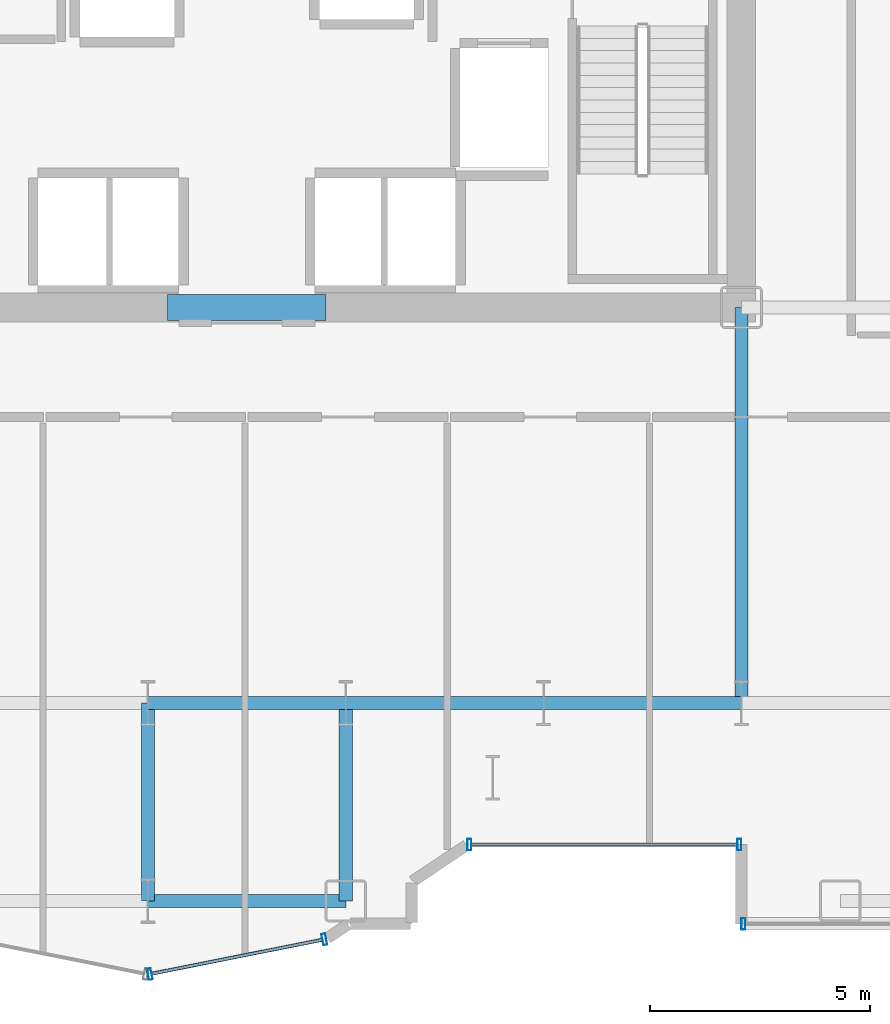
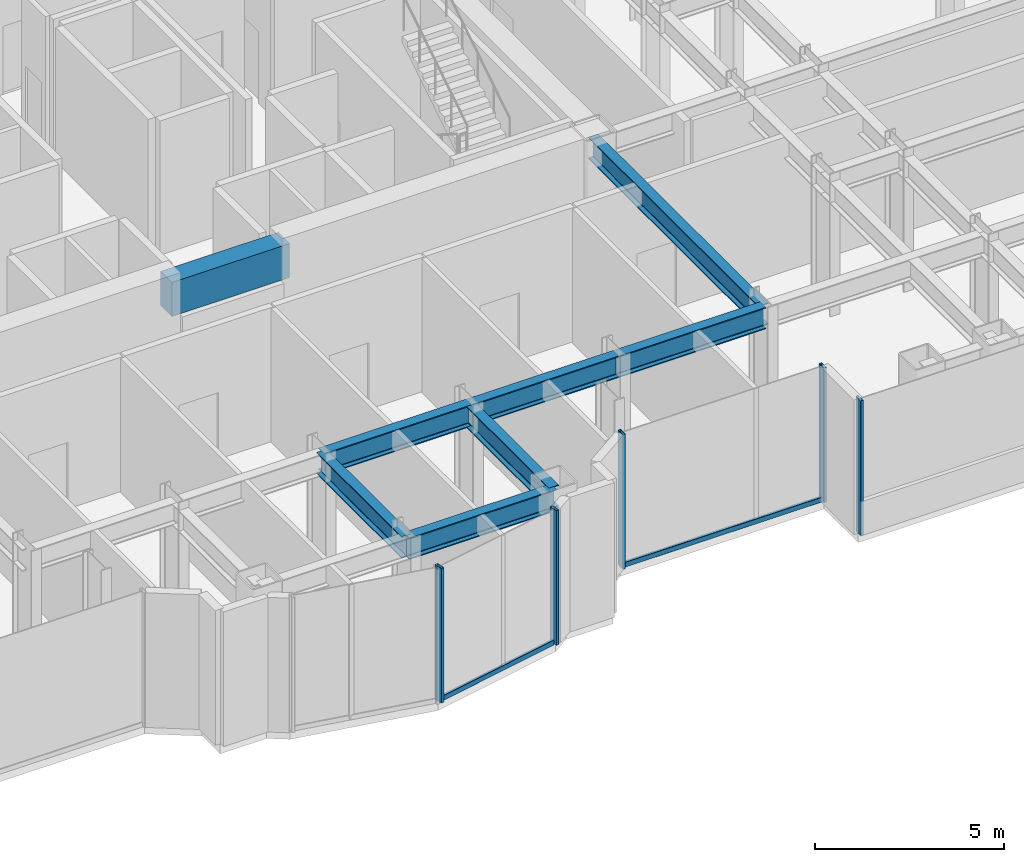
# One storey, part 8 of 30: 8 beams, 7 members, 3 elements without a shape of their own.
"""IFC4 building model written with IfcOpenShell, lengths in metres."""

from ifc_helpers import new_model, si_unit, direction, frame, origin, origin_2d, place, context, subcontext, project, spatial, rectangle, hollow_rectangle, i_section, extrude, source, transform, mapped, material, layer, layer_set, material_profile, profile_set, type_object, element, aggregate, save


model = new_model("IFC4")

# Units and contexts
model_context = context("Model", 3, precision=1e-05, world=origin(), true_north=direction((0.0, 1.0)))
body_context = subcontext(model_context, "Body", "Model", "MODEL_VIEW")
ifc_project = project(units=[si_unit("LENGTHUNIT", "METRE"), si_unit("AREAUNIT", "SQUARE_METRE"), si_unit("VOLUMEUNIT", "CUBIC_METRE"), si_unit("PLANEANGLEUNIT", "RADIAN"), si_unit("MASSUNIT", "GRAM", prefix="KILO")], contexts=[model_context])

# Site, building, storey
site_placement = place(None, origin())
site = spatial("IfcSite", under=ifc_project, at=site_placement, CompositionType="ELEMENT")
building_placement = place(site_placement, origin())
building = spatial("IfcBuilding", under=site, at=building_placement, Name="Nefas-Gora Pilgrimage Tower", CompositionType="ELEMENT")
storey_placement = place(building_placement, frame((0.0, 0.0, 86.199951171875)))
storey = spatial("IfcBuildingStorey", under=building, at=storey_placement, Name="L20", CompositionType="ELEMENT", Elevation=86.199951171875)

# Beams
ifc_material_1 = material(Name="Concrete C60/75", Category="concrete")
ifc_material_profile_1 = material_profile(ifc_material_1, rectangle(XDim=0.60009765625, YDim=1.10009765625, at=origin_2d()), Name="RC 600x1100")
ifc_profile_set_1 = profile_set([ifc_material_profile_1], Name="Concrete C60/75")
beam_type_1 = type_object("IfcBeamType", Name="BM-LIN-RC1100", PredefinedType="LINTEL", material=ifc_profile_set_1)
shared_shape_1 = source(origin(), body_context, "Body", "SweptSolid", [
    extrude(rectangle(XDim=0.60009765625, YDim=1.10009765625, at=origin_2d()), origin(), (0.0, 0.0, 1.0), 3.60009765625),
])
beam_1_placement = place(storey_placement, frame((-1.800048828125, -9.0, 3.800048828125), z_axis=(1.0, 0.0, 0.0), x_axis=(0.0, 1.0, 0.0)))
element("IfcBeam", 1, at=beam_1_placement, inside=storey, type_object=beam_type_1, Name="L20 Core Coupling Lintel Beam S", PredefinedType="LINTEL", context=body_context, shape_type="MappedRepresentation", body=[
    mapped(shared_shape_1, transform((0.0, 0.0, 0.0), x_axis=(1.0, 0.0, 0.0), y_axis=(0.0, 1.0, 0.0), z_axis=(0.0, 0.0, 1.0), scale=1.0)),
])
ifc_material_2 = material(Name="Steel S355", Category="steel")
ifc_material_profile_2 = material_profile(ifc_material_2, i_section(OverallWidth=0.300048828125, OverallDepth=0.699951171875, WebThickness=0.01708984375, FlangeThickness=0.031982421875, FilletRadius=0.027099609375, at=origin_2d()), Name="HEB 700")
ifc_profile_set_2 = profile_set([ifc_material_profile_2], Name="Steel S355")
beam_type_2 = type_object("IfcBeamType", Name="BM-GIR-HEB700", PredefinedType="BEAM", material=ifc_profile_set_2)
shared_shape_2 = source(origin(), body_context, "Body", "SweptSolid", [
    extrude(i_section(OverallWidth=0.300048828125, OverallDepth=0.699951171875, WebThickness=0.01708984375, FlangeThickness=0.031982421875, FilletRadius=0.027099609375, at=origin_2d()), origin(), (0.0, 0.0, 1.0), 9.0),
])
beam_2_placement = place(storey_placement, frame((11.25, -18.0, 4.0), z_axis=(0.0, 1.0, 0.0), x_axis=(-1.0, 0.0, 0.0)))
element("IfcBeam", 2, at=beam_2_placement, inside=storey, type_object=beam_type_2, Name="L20 G-02 beam", PredefinedType="BEAM", context=body_context, shape_type="MappedRepresentation", body=[
    mapped(shared_shape_2, transform((0.0, 0.0, 0.0), x_axis=(1.0, 0.0, 0.0), y_axis=(0.0, 1.0, 0.0), z_axis=(0.0, 0.0, 1.0), scale=1.0)),
])
shared_shape_3 = source(origin(), body_context, "Body", "SweptSolid", [
    extrude(i_section(OverallWidth=0.300048828125, OverallDepth=0.699951171875, WebThickness=0.01708984375, FlangeThickness=0.031982421875, FilletRadius=0.027099609375, at=origin_2d()), origin(), (0.0, 0.0, 1.0), 4.5),
])
for number, where, z_axis, x_axis, name in (
    (3, (-2.25, -22.5, 4.0), (0.0, 1.0, 0.0), (-1.0, 0.0, 0.0), "L20 G-02 beam"),
    (4, (-2.25, -22.5, 4.0), (1.0, 0.0, 0.0), (0.0, 1.0, 0.0), "L20 G-02 beam"),
    (5, (-2.25, -18.0, 4.0), (1.0, 0.0, 0.0), (0.0, 1.0, 0.0), "L20 G-02 beam"),
    (6, (2.25, -22.5, 4.0), (0.0, 1.0, 0.0), (-1.0, 0.0, 0.0), "L20 G-02 beam"),
    (7, (2.25, -18.0, 4.0), (1.0, 0.0, 0.0), (0.0, 1.0, 0.0), "L20 G-02 beam"),
    (8, (6.75, -18.0, 4.0), (1.0, 0.0, 0.0), (0.0, 1.0, 0.0), "L20 G-02 beam"),
):
    element("IfcBeam", number, at=place(storey_placement, frame(where, z_axis=z_axis, x_axis=x_axis)), inside=storey, type_object=beam_type_2, Name=name, PredefinedType="BEAM", context=body_context, shape_type="MappedRepresentation", body=[
        mapped(shared_shape_3, transform((0.0, 0.0, 0.0), x_axis=(1.0, 0.0, 0.0), y_axis=(0.0, 1.0, 0.0), z_axis=(0.0, 0.0, 1.0), scale=1.0)),
    ])

# Curtain wall, member
ifc_material_3 = material(Name="Dark ceramic-fritted solar-control aluminium-glass curtain wall", Category="aluminium")
ifc_layer_1 = layer(ifc_material_3, 0.219970703125)
ifc_layer_set_1 = layer_set([ifc_layer_1], Name="Dark ceramic-fritted solar-control aluminium-glass curtain wall")
curtain_wall_type_1 = type_object("IfcCurtainWallType", Name="CW-SYS-5", PredefinedType="NOTDEFINED", material=ifc_layer_set_1)
curtain_wall_1_placement = place(storey_placement, origin())
curtain_wall_1 = element("IfcCurtainWall", 9, at=curtain_wall_1_placement, inside=storey, type_object=curtain_wall_type_1, Name="L20 Unitised Curtain Wall CW5", PredefinedType="NOTDEFINED")
ifc_material_4 = material(Name="Anodised architectural aluminium", Category="aluminium")
ifc_material_profile_3 = material_profile(ifc_material_4, hollow_rectangle(XDim=0.080078125, YDim=0.159912109375, WallThickness=0.00439453125, InnerFilletRadius=0.00439453125, OuterFilletRadius=0.009033203125, at=origin_2d()), Name="ALU TRANSOM 80x160")
ifc_profile_set_3 = profile_set([ifc_material_profile_3], Name="Anodised architectural aluminium")
member_type_1 = type_object("IfcMemberType", Name="CWM-TRN-5", PredefinedType="USERDEFINED", material=ifc_profile_set_3)
shared_shape_4 = source(origin(), body_context, "Body", "SweptSolid", [
    extrude(hollow_rectangle(XDim=0.080078125, YDim=0.159912109375, WallThickness=0.00439453125, InnerFilletRadius=0.00439453125, OuterFilletRadius=0.009033203125, at=origin_2d()), origin(), (0.0, 0.0, 1.0), 6.052001953125),
])
member_1_placement = place(storey_placement, frame((5.10791015625, -21.219970703125, 0.050048828125), z_axis=(1.0, 0.0, 0.0), x_axis=(0.0, 1.0, 0.0)))
member_1 = element("IfcMember", 10, at=member_1_placement, type_object=member_type_1, Name="CW5 Spandrel Transom", ObjectType="TRANSOM", PredefinedType="USERDEFINED", context=body_context, shape_type="MappedRepresentation", body=[
    mapped(shared_shape_4, transform((0.0, 0.0, 0.0), x_axis=(1.0, 0.0, 0.0), y_axis=(0.0, 1.0, 0.0), z_axis=(0.0, 0.0, 1.0), scale=1.0)),
])

curtain_wall_2_placement = place(storey_placement, origin())
curtain_wall_2 = element("IfcCurtainWall", 11, at=curtain_wall_2_placement, inside=storey, type_object=curtain_wall_type_1, Name="L20 Unitised Curtain Wall CW5", PredefinedType="NOTDEFINED")
shared_shape_5 = source(origin(), body_context, "Body", "SweptSolid", [
    extrude(hollow_rectangle(XDim=0.080078125, YDim=0.159912109375, WallThickness=0.00439453125, InnerFilletRadius=0.00439453125, OuterFilletRadius=0.009033203125, at=origin_2d()), origin(), (0.0, 0.0, 1.0), 3.95654296875),
])
member_2_placement = place(storey_placement, frame((-2.16162109375, -24.15478515625, 0.050048828125), z_axis=(0.980781880918, 0.195107411605, 0.0), x_axis=(-0.195107411605, 0.980781880918, 0.0)))
member_2 = element("IfcMember", 12, at=member_2_placement, type_object=member_type_1, Name="CW5 Spandrel Transom", ObjectType="TRANSOM", PredefinedType="USERDEFINED", context=body_context, shape_type="MappedRepresentation", body=[
    mapped(shared_shape_5, transform((0.0, 0.0, 0.0), x_axis=(1.0, 0.0, 0.0), y_axis=(0.0, 1.0, 0.0), z_axis=(0.0, 0.0, 1.0), scale=1.0)),
])

# Member
ifc_material_profile_4 = material_profile(ifc_material_4, hollow_rectangle(XDim=0.090087890625, YDim=0.260009765625, WallThickness=0.006103515625, InnerFilletRadius=0.006103515625, OuterFilletRadius=0.011962890625, at=origin_2d()), Name="ALU MULLION 90x260")
ifc_profile_set_4 = profile_set([ifc_material_profile_4], Name="Anodised architectural aluminium")
member_type_2 = type_object("IfcMemberType", Name="CWM-MUL-5", PredefinedType="MULLION", material=ifc_profile_set_4)
shared_shape_6 = source(origin(), body_context, "Body", "SweptSolid", [
    extrude(hollow_rectangle(XDim=0.090087890625, YDim=0.260009765625, WallThickness=0.006103515625, InnerFilletRadius=0.006103515625, OuterFilletRadius=0.011962890625, at=origin_2d()), origin(), (0.0, 0.0, 1.0), 4.35009765625),
])
member_3_placement = place(storey_placement, frame((5.06298828125, -21.219970703125, 0.0), z_axis=(0.0, 0.0, 1.0), x_axis=(1.0, 0.0, 0.0)))
member_3 = element("IfcMember", 13, at=member_3_placement, type_object=member_type_2, Name="CW5 Mullion 1", PredefinedType="MULLION", context=body_context, shape_type="MappedRepresentation", body=[
    mapped(shared_shape_6, transform((0.0, 0.0, 0.0), x_axis=(1.0, 0.0, 0.0), y_axis=(0.0, 1.0, 0.0), z_axis=(0.0, 0.0, 1.0), scale=1.0)),
])

member_4_placement = place(storey_placement, frame((11.205078125, -21.219970703125, 0.0), z_axis=(0.0, 0.0, 1.0), x_axis=(1.0, 0.0, 0.0)))
member_4 = element("IfcMember", 14, at=member_4_placement, type_object=member_type_2, Name="CW5 Mullion 2", PredefinedType="MULLION", context=body_context, shape_type="MappedRepresentation", body=[
    mapped(shared_shape_6, transform((0.0, 0.0, 0.0), x_axis=(1.0, 0.0, 0.0), y_axis=(0.0, 1.0, 0.0), z_axis=(0.0, 0.0, 1.0), scale=1.0)),
])

aggregate(curtain_wall_1, [member_3, member_4, member_1])

member_5_placement = place(storey_placement, frame((-2.205810546875, -24.16357421875, 0.0), z_axis=(0.0, 0.0, 1.0), x_axis=(0.980782896852, 0.195102304554, 0.0)))
member_5 = element("IfcMember", 15, at=member_5_placement, type_object=member_type_2, Name="CW5 Mullion 1", PredefinedType="MULLION", context=body_context, shape_type="MappedRepresentation", body=[
    mapped(shared_shape_6, transform((0.0, 0.0, 0.0), x_axis=(1.0, 0.0, 0.0), y_axis=(0.0, 1.0, 0.0), z_axis=(0.0, 0.0, 1.0), scale=1.0)),
])

member_6_placement = place(storey_placement, frame((1.76318359375, -23.3740234375, 0.0), z_axis=(0.0, 0.0, 1.0), x_axis=(0.980782896852, 0.195102304554, 0.0)))
member_6 = element("IfcMember", 16, at=member_6_placement, type_object=member_type_2, Name="CW5 Mullion 2", PredefinedType="MULLION", context=body_context, shape_type="MappedRepresentation", body=[
    mapped(shared_shape_6, transform((0.0, 0.0, 0.0), x_axis=(1.0, 0.0, 0.0), y_axis=(0.0, 1.0, 0.0), z_axis=(0.0, 0.0, 1.0), scale=1.0)),
])

aggregate(curtain_wall_2, [member_5, member_6, member_2])

# Curtain wall, member
ifc_layer_2 = layer(ifc_material_3, 0.219970703125)
ifc_layer_set_2 = layer_set([ifc_layer_2], Name="Dark ceramic-fritted solar-control aluminium-glass curtain wall")
curtain_wall_type_2 = type_object("IfcCurtainWallType", Name="CW-SYS-2", PredefinedType="NOTDEFINED", material=ifc_layer_set_2)
curtain_wall_3_placement = place(storey_placement, origin())
curtain_wall_3 = element("IfcCurtainWall", 17, at=curtain_wall_3_placement, inside=storey, type_object=curtain_wall_type_2, Name="L20 Unitised Curtain Wall CW2", PredefinedType="NOTDEFINED")
ifc_material_profile_5 = material_profile(ifc_material_4, hollow_rectangle(XDim=0.090087890625, YDim=0.260009765625, WallThickness=0.006103515625, InnerFilletRadius=0.006103515625, OuterFilletRadius=0.011962890625, at=origin_2d()), Name="ALU MULLION 90x260")
ifc_profile_set_5 = profile_set([ifc_material_profile_5], Name="Anodised architectural aluminium")
member_type_3 = type_object("IfcMemberType", Name="CWM-MUL-2", PredefinedType="MULLION", material=ifc_profile_set_5)
shared_shape_7 = source(origin(), body_context, "Body", "SweptSolid", [
    extrude(hollow_rectangle(XDim=0.090087890625, YDim=0.260009765625, WallThickness=0.006103515625, InnerFilletRadius=0.006103515625, OuterFilletRadius=0.011962890625, at=origin_2d()), origin(), (0.0, 0.0, 1.0), 4.35009765625),
])
member_7_placement = place(storey_placement, frame((11.294921875, -23.02001953125, 0.0), z_axis=(0.0, 0.0, 1.0), x_axis=(1.0, 0.0, 0.0)))
member_7 = element("IfcMember", 18, at=member_7_placement, type_object=member_type_3, Name="CW2 Mullion 1", PredefinedType="MULLION", context=body_context, shape_type="MappedRepresentation", body=[
    mapped(shared_shape_7, transform((0.0, 0.0, 0.0), x_axis=(1.0, 0.0, 0.0), y_axis=(0.0, 1.0, 0.0), z_axis=(0.0, 0.0, 1.0), scale=1.0)),
])
aggregate(curtain_wall_3, [member_7])

save(model, "model.ifc")
